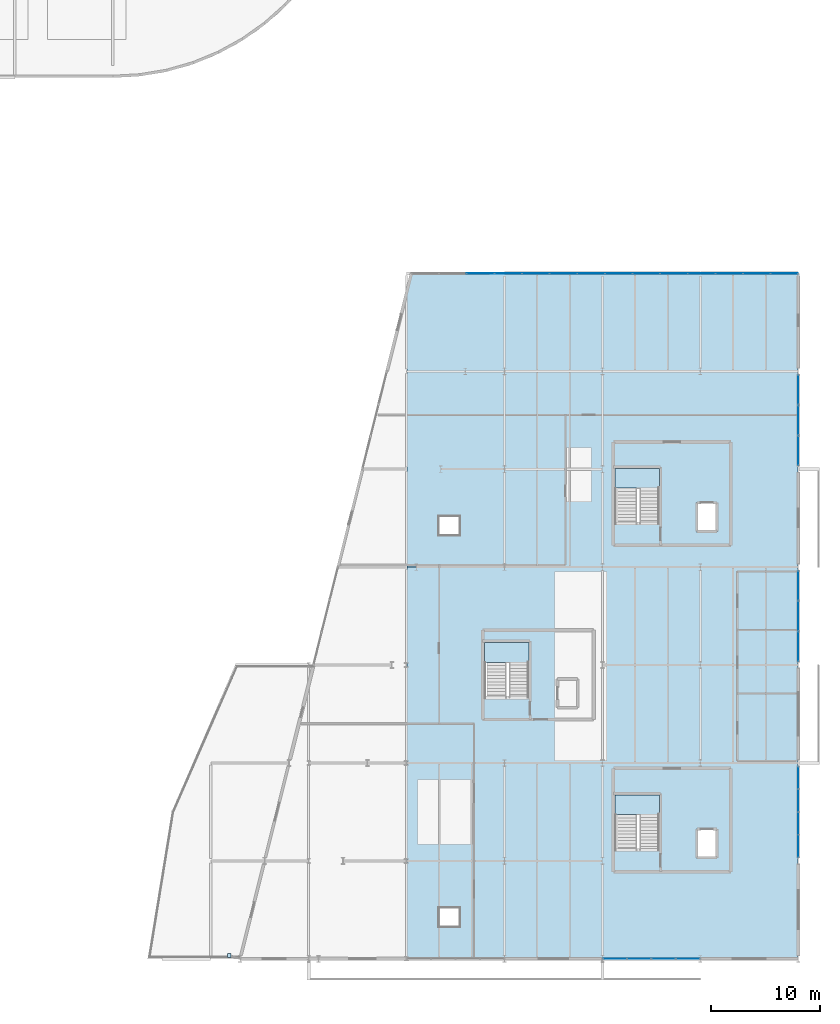
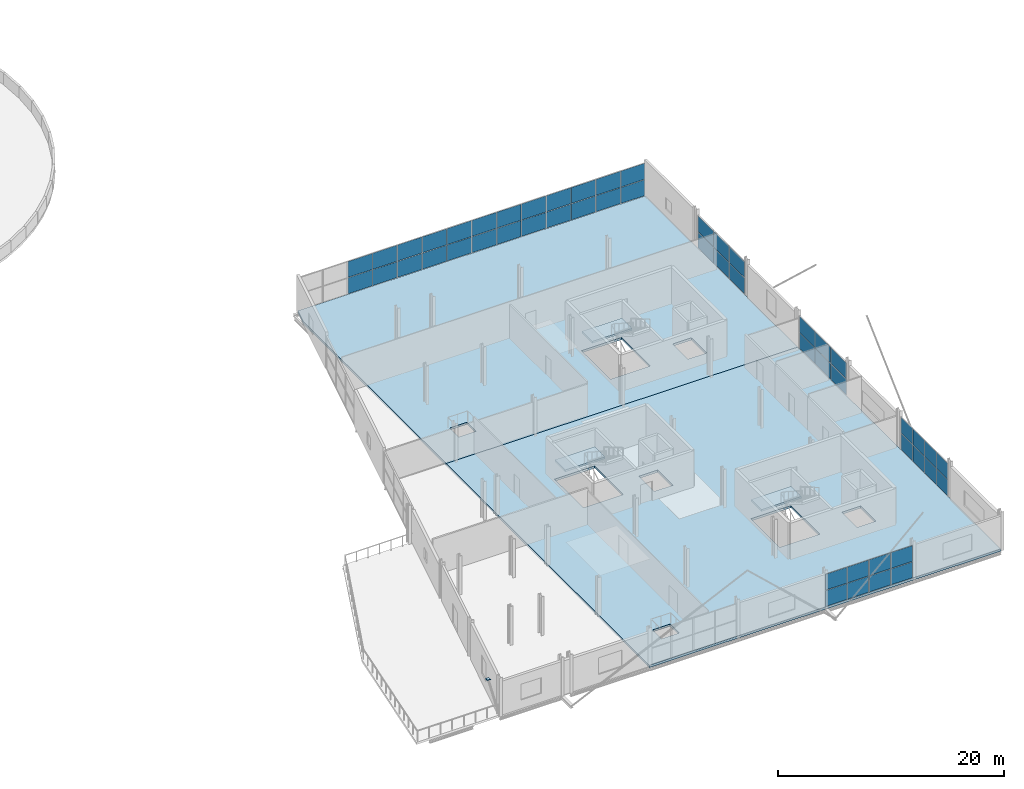
# One storey, part 51 of 59: 53 plates, 5 slabs, 8 elements without a shape of their own.
"""IFC4 building model written with IfcOpenShell, lengths in metres."""

from ifc_helpers import new_model, si_unit, direction, frame, origin, origin_2d, place, context, subcontext, project, spatial, polyline, rectangle, outline, extrude, material, layer, layer_set, type_object, element, aggregate, save


model = new_model("IFC4")

# Units and contexts
model_context = context("Model", 3, precision=1e-05, world=origin(), true_north=direction((0.0, 1.0)))
body_context = subcontext(model_context, "Body", "Model", "MODEL_VIEW")
ifc_project = project(units=[si_unit("LENGTHUNIT", "METRE"), si_unit("AREAUNIT", "SQUARE_METRE"), si_unit("VOLUMEUNIT", "CUBIC_METRE"), si_unit("PLANEANGLEUNIT", "RADIAN"), si_unit("MASSUNIT", "GRAM", prefix="KILO")], contexts=[model_context])

# Site, building, storey
site_placement = place(None, origin())
site = spatial("IfcSite", under=ifc_project, at=site_placement, CompositionType="ELEMENT")
building_placement = place(site_placement, origin())
building = spatial("IfcBuilding", under=site, at=building_placement, Name="Deido Ridge Mobility Hub", CompositionType="ELEMENT")
storey_placement = place(building_placement, frame((0.0, 0.0, 21.0)))
storey = spatial("IfcBuildingStorey", under=building, at=storey_placement, Name="L05", CompositionType="ELEMENT", Elevation=21.0)

# Plate
ifc_material_1 = material(Name="Steel S355J2 EN 10025-2", Category="steel")
ifc_layer_1 = layer(ifc_material_1, 0.02197265625, Name="Steel S355J2 EN 10025-2")
ifc_layer_set_1 = layer_set([ifc_layer_1], Name="Steel S355J2 EN 10025-2")
plate_type_1 = type_object("IfcPlateType", Name="PLT-CAP-22", PredefinedType="USERDEFINED", material=ifc_layer_set_1)
plate_1_placement = place(storey_placement, frame((127.699951171875, 0.300048828125, 4.0390625), z_axis=(0.0, 0.0, 1.0), x_axis=(1.0, 0.0, 0.0)))
element("IfcPlate", 1, at=plate_1_placement, inside=storey, type_object=plate_type_1, Name="Diagrid node cap plate EC2 165", ObjectType="END CAP PLATE", PredefinedType="USERDEFINED", context=body_context, shape_type="SweptSolid", body=[
    extrude(rectangle(XDim=0.340087890625, YDim=0.340087890625, at=origin_2d()), origin(), (0.0, 0.0, 1.0), 0.02197265625),
])

# Curtain wall, plates
ifc_material_2 = material(Name="Anodised aluminium EN AW-6063 T6", Category="aluminium")
ifc_layer_2 = layer(ifc_material_2, 0.1650390625, Name="Anodised aluminium EN AW-6063 T6")
ifc_layer_set_2 = layer_set([ifc_layer_2], Name="Anodised aluminium EN AW-6063 T6")
curtain_wall_type_1 = type_object("IfcCurtainWallType", Name="CW-UF-1", PredefinedType="USERDEFINED", material=ifc_layer_set_2)
curtain_wall_1_placement = place(storey_placement, origin())
curtain_wall_1 = element("IfcCurtainWall", 2, at=curtain_wall_1_placement, inside=storey, type_object=curtain_wall_type_1, Name="Unitised curtain wall CW1", ObjectType="UNITISED FACADE", PredefinedType="USERDEFINED")
ifc_material_3 = material(Name="Laminated solar-control low-E glass", Category="glass")
ifc_layer_3 = layer(ifc_material_3, 0.02587890625, Name="Laminated solar-control low-E glass")
ifc_layer_set_3 = layer_set([ifc_layer_3], Name="Laminated solar-control low-E glass")
plate_type_2 = type_object("IfcPlateType", Name="PLT-CWP-26", PredefinedType="CURTAIN_PANEL", material=ifc_layer_set_3)
plate_2_placement = place(storey_placement, frame((180.0, 10.362548828125, 0.050048828125), z_axis=(0.0, 0.0, 1.0), x_axis=(0.0, 1.0, 0.0)))
plate_2 = element("IfcPlate", 3, at=plate_2_placement, type_object=plate_type_2, Name="CW1 panel 1.1", PredefinedType="CURTAIN_PANEL", context=body_context, shape_type="SweptSolid", body=[
    extrude(rectangle(XDim=2.02490234375, YDim=0.02587890625, at=origin_2d()), origin(), (0.0, 0.0, 1.0), 1.72509765625),
])
plate_3_placement = place(storey_placement, frame((180.0, 10.362548828125, 1.824951171875), z_axis=(0.0, 0.0, 1.0), x_axis=(0.0, 1.0, 0.0)))
plate_3 = element("IfcPlate", 4, at=plate_3_placement, type_object=plate_type_2, Name="CW1 panel 1.2", PredefinedType="CURTAIN_PANEL", context=body_context, shape_type="SweptSolid", body=[
    extrude(rectangle(XDim=2.02490234375, YDim=0.02587890625, at=origin_2d()), origin(), (0.0, 0.0, 1.0), 1.72509765625),
])
plate_4_placement = place(storey_placement, frame((180.0, 12.449951171875, 0.050048828125), z_axis=(0.0, 0.0, 1.0), x_axis=(0.0, 1.0, 0.0)))
plate_4 = element("IfcPlate", 5, at=plate_4_placement, type_object=plate_type_2, Name="CW1 panel 2.1", PredefinedType="CURTAIN_PANEL", context=body_context, shape_type="SweptSolid", body=[
    extrude(rectangle(XDim=2.050048828125, YDim=0.02587890625, at=origin_2d()), origin(), (0.0, 0.0, 1.0), 1.72509765625),
])
plate_5_placement = place(storey_placement, frame((180.0, 12.449951171875, 1.824951171875), z_axis=(0.0, 0.0, 1.0), x_axis=(0.0, 1.0, 0.0)))
plate_5 = element("IfcPlate", 6, at=plate_5_placement, type_object=plate_type_2, Name="CW1 panel 2.2", PredefinedType="CURTAIN_PANEL", context=body_context, shape_type="SweptSolid", body=[
    extrude(rectangle(XDim=2.050048828125, YDim=0.02587890625, at=origin_2d()), origin(), (0.0, 0.0, 1.0), 1.72509765625),
])
plate_6_placement = place(storey_placement, frame((180.0, 14.550048828125, 0.050048828125), z_axis=(0.0, 0.0, 1.0), x_axis=(0.0, 1.0, 0.0)))
plate_6 = element("IfcPlate", 7, at=plate_6_placement, type_object=plate_type_2, Name="CW1 panel 3.1", PredefinedType="CURTAIN_PANEL", context=body_context, shape_type="SweptSolid", body=[
    extrude(rectangle(XDim=2.050048828125, YDim=0.02587890625, at=origin_2d()), origin(), (0.0, 0.0, 1.0), 1.72509765625),
])
plate_7_placement = place(storey_placement, frame((180.0, 14.550048828125, 1.824951171875), z_axis=(0.0, 0.0, 1.0), x_axis=(0.0, 1.0, 0.0)))
plate_7 = element("IfcPlate", 8, at=plate_7_placement, type_object=plate_type_2, Name="CW1 panel 3.2", PredefinedType="CURTAIN_PANEL", context=body_context, shape_type="SweptSolid", body=[
    extrude(rectangle(XDim=2.050048828125, YDim=0.02587890625, at=origin_2d()), origin(), (0.0, 0.0, 1.0), 1.72509765625),
])
plate_8_placement = place(storey_placement, frame((180.0, 16.637451171875, 0.050048828125), z_axis=(0.0, 0.0, 1.0), x_axis=(0.0, 1.0, 0.0)))
plate_8 = element("IfcPlate", 9, at=plate_8_placement, type_object=plate_type_2, Name="CW1 panel 4.1", PredefinedType="CURTAIN_PANEL", context=body_context, shape_type="SweptSolid", body=[
    extrude(rectangle(XDim=2.02490234375, YDim=0.02587890625, at=origin_2d()), origin(), (0.0, 0.0, 1.0), 1.72509765625),
])
plate_9_placement = place(storey_placement, frame((180.0, 16.637451171875, 1.824951171875), z_axis=(0.0, 0.0, 1.0), x_axis=(0.0, 1.0, 0.0)))
plate_9 = element("IfcPlate", 10, at=plate_9_placement, type_object=plate_type_2, Name="CW1 panel 4.2", PredefinedType="CURTAIN_PANEL", context=body_context, shape_type="SweptSolid", body=[
    extrude(rectangle(XDim=2.02490234375, YDim=0.02587890625, at=origin_2d()), origin(), (0.0, 0.0, 1.0), 1.72509765625),
])
aggregate(curtain_wall_1, [plate_2, plate_3, plate_4, plate_5, plate_6, plate_7, plate_8, plate_9])

ifc_layer_4 = layer(ifc_material_2, 0.14404296875, Name="Anodised aluminium EN AW-6063 T6")
ifc_layer_set_4 = layer_set([ifc_layer_4], Name="Anodised aluminium EN AW-6063 T6")
curtain_wall_type_2 = type_object("IfcCurtainWallType", Name="CW-GS-2", PredefinedType="USERDEFINED", material=ifc_layer_set_4)
curtain_wall_2_placement = place(storey_placement, origin())
curtain_wall_2 = element("IfcCurtainWall", 11, at=curtain_wall_2_placement, inside=storey, type_object=curtain_wall_type_2, Name="Unitised curtain wall GS2", ObjectType="GLAZED SCREEN", PredefinedType="USERDEFINED")
plate_10_placement = place(storey_placement, frame((150.798095703125, 63.0, 0.050048828125), z_axis=(0.0, 0.0, 1.0), x_axis=(1.0, 0.0, 0.0)))
plate_10 = element("IfcPlate", 12, at=plate_10_placement, type_object=plate_type_2, Name="GS2 panel 3.1", PredefinedType="CURTAIN_PANEL", context=body_context, shape_type="SweptSolid", body=[
    extrude(rectangle(XDim=2.4892578125, YDim=0.02587890625, at=origin_2d()), origin(), (0.0, 0.0, 1.0), 1.72509765625),
])
plate_11_placement = place(storey_placement, frame((150.798095703125, 63.0, 1.824951171875), z_axis=(0.0, 0.0, 1.0), x_axis=(1.0, 0.0, 0.0)))
plate_11 = element("IfcPlate", 13, at=plate_11_placement, type_object=plate_type_2, Name="GS2 panel 3.2", PredefinedType="CURTAIN_PANEL", context=body_context, shape_type="SweptSolid", body=[
    extrude(rectangle(XDim=2.4892578125, YDim=0.02587890625, at=origin_2d()), origin(), (0.0, 0.0, 1.0), 1.72509765625),
])
plate_12_placement = place(storey_placement, frame((153.33740234375, 63.0, 0.050048828125), z_axis=(0.0, 0.0, 1.0), x_axis=(1.0, 0.0, 0.0)))
plate_12 = element("IfcPlate", 14, at=plate_12_placement, type_object=plate_type_2, Name="GS2 panel 4.1", PredefinedType="CURTAIN_PANEL", context=body_context, shape_type="SweptSolid", body=[
    extrude(rectangle(XDim=2.4892578125, YDim=0.02587890625, at=origin_2d()), origin(), (0.0, 0.0, 1.0), 1.72509765625),
])
plate_13_placement = place(storey_placement, frame((153.33740234375, 63.0, 1.824951171875), z_axis=(0.0, 0.0, 1.0), x_axis=(1.0, 0.0, 0.0)))
plate_13 = element("IfcPlate", 15, at=plate_13_placement, type_object=plate_type_2, Name="GS2 panel 4.2", PredefinedType="CURTAIN_PANEL", context=body_context, shape_type="SweptSolid", body=[
    extrude(rectangle(XDim=2.4892578125, YDim=0.02587890625, at=origin_2d()), origin(), (0.0, 0.0, 1.0), 1.72509765625),
])
plate_14_placement = place(storey_placement, frame((155.876708984375, 63.0, 0.050048828125), z_axis=(0.0, 0.0, 1.0), x_axis=(1.0, 0.0, 0.0)))
plate_14 = element("IfcPlate", 16, at=plate_14_placement, type_object=plate_type_2, Name="GS2 panel 5.1", PredefinedType="CURTAIN_PANEL", context=body_context, shape_type="SweptSolid", body=[
    extrude(rectangle(XDim=2.4892578125, YDim=0.02587890625, at=origin_2d()), origin(), (0.0, 0.0, 1.0), 1.72509765625),
])
plate_15_placement = place(storey_placement, frame((155.876708984375, 63.0, 1.824951171875), z_axis=(0.0, 0.0, 1.0), x_axis=(1.0, 0.0, 0.0)))
plate_15 = element("IfcPlate", 17, at=plate_15_placement, type_object=plate_type_2, Name="GS2 panel 5.2", PredefinedType="CURTAIN_PANEL", context=body_context, shape_type="SweptSolid", body=[
    extrude(rectangle(XDim=2.4892578125, YDim=0.02587890625, at=origin_2d()), origin(), (0.0, 0.0, 1.0), 1.72509765625),
])
plate_16_placement = place(storey_placement, frame((158.416015625, 63.0, 0.050048828125), z_axis=(0.0, 0.0, 1.0), x_axis=(1.0, 0.0, 0.0)))
plate_16 = element("IfcPlate", 18, at=plate_16_placement, type_object=plate_type_2, Name="GS2 panel 6.1", PredefinedType="CURTAIN_PANEL", context=body_context, shape_type="SweptSolid", body=[
    extrude(rectangle(XDim=2.4892578125, YDim=0.02587890625, at=origin_2d()), origin(), (0.0, 0.0, 1.0), 1.72509765625),
])
plate_17_placement = place(storey_placement, frame((158.416015625, 63.0, 1.824951171875), z_axis=(0.0, 0.0, 1.0), x_axis=(1.0, 0.0, 0.0)))
plate_17 = element("IfcPlate", 19, at=plate_17_placement, type_object=plate_type_2, Name="GS2 panel 6.2", PredefinedType="CURTAIN_PANEL", context=body_context, shape_type="SweptSolid", body=[
    extrude(rectangle(XDim=2.4892578125, YDim=0.02587890625, at=origin_2d()), origin(), (0.0, 0.0, 1.0), 1.72509765625),
])
plate_18_placement = place(storey_placement, frame((160.955322265625, 63.0, 0.050048828125), z_axis=(0.0, 0.0, 1.0), x_axis=(1.0, 0.0, 0.0)))
plate_18 = element("IfcPlate", 20, at=plate_18_placement, type_object=plate_type_2, Name="GS2 panel 7.1", PredefinedType="CURTAIN_PANEL", context=body_context, shape_type="SweptSolid", body=[
    extrude(rectangle(XDim=2.4892578125, YDim=0.02587890625, at=origin_2d()), origin(), (0.0, 0.0, 1.0), 1.72509765625),
])
plate_19_placement = place(storey_placement, frame((160.955322265625, 63.0, 1.824951171875), z_axis=(0.0, 0.0, 1.0), x_axis=(1.0, 0.0, 0.0)))
plate_19 = element("IfcPlate", 21, at=plate_19_placement, type_object=plate_type_2, Name="GS2 panel 7.2", PredefinedType="CURTAIN_PANEL", context=body_context, shape_type="SweptSolid", body=[
    extrude(rectangle(XDim=2.4892578125, YDim=0.02587890625, at=origin_2d()), origin(), (0.0, 0.0, 1.0), 1.72509765625),
])
plate_20_placement = place(storey_placement, frame((163.49462890625, 63.0, 0.050048828125), z_axis=(0.0, 0.0, 1.0), x_axis=(1.0, 0.0, 0.0)))
plate_20 = element("IfcPlate", 22, at=plate_20_placement, type_object=plate_type_2, Name="GS2 panel 8.1", PredefinedType="CURTAIN_PANEL", context=body_context, shape_type="SweptSolid", body=[
    extrude(rectangle(XDim=2.4892578125, YDim=0.02587890625, at=origin_2d()), origin(), (0.0, 0.0, 1.0), 1.72509765625),
])
plate_21_placement = place(storey_placement, frame((163.49462890625, 63.0, 1.824951171875), z_axis=(0.0, 0.0, 1.0), x_axis=(1.0, 0.0, 0.0)))
plate_21 = element("IfcPlate", 23, at=plate_21_placement, type_object=plate_type_2, Name="GS2 panel 8.2", PredefinedType="CURTAIN_PANEL", context=body_context, shape_type="SweptSolid", body=[
    extrude(rectangle(XDim=2.4892578125, YDim=0.02587890625, at=origin_2d()), origin(), (0.0, 0.0, 1.0), 1.72509765625),
])
plate_22_placement = place(storey_placement, frame((166.033935546875, 63.0, 0.050048828125), z_axis=(0.0, 0.0, 1.0), x_axis=(1.0, 0.0, 0.0)))
plate_22 = element("IfcPlate", 24, at=plate_22_placement, type_object=plate_type_2, Name="GS2 panel 9.1", PredefinedType="CURTAIN_PANEL", context=body_context, shape_type="SweptSolid", body=[
    extrude(rectangle(XDim=2.4892578125, YDim=0.02587890625, at=origin_2d()), origin(), (0.0, 0.0, 1.0), 1.72509765625),
])
plate_23_placement = place(storey_placement, frame((166.033935546875, 63.0, 1.824951171875), z_axis=(0.0, 0.0, 1.0), x_axis=(1.0, 0.0, 0.0)))
plate_23 = element("IfcPlate", 25, at=plate_23_placement, type_object=plate_type_2, Name="GS2 panel 9.2", PredefinedType="CURTAIN_PANEL", context=body_context, shape_type="SweptSolid", body=[
    extrude(rectangle(XDim=2.4892578125, YDim=0.02587890625, at=origin_2d()), origin(), (0.0, 0.0, 1.0), 1.72509765625),
])
plate_24_placement = place(storey_placement, frame((168.5732421875, 63.0, 0.050048828125), z_axis=(0.0, 0.0, 1.0), x_axis=(1.0, 0.0, 0.0)))
plate_24 = element("IfcPlate", 26, at=plate_24_placement, type_object=plate_type_2, Name="GS2 panel 10.1", PredefinedType="CURTAIN_PANEL", context=body_context, shape_type="SweptSolid", body=[
    extrude(rectangle(XDim=2.4892578125, YDim=0.02587890625, at=origin_2d()), origin(), (0.0, 0.0, 1.0), 1.72509765625),
])
plate_25_placement = place(storey_placement, frame((168.5732421875, 63.0, 1.824951171875), z_axis=(0.0, 0.0, 1.0), x_axis=(1.0, 0.0, 0.0)))
plate_25 = element("IfcPlate", 27, at=plate_25_placement, type_object=plate_type_2, Name="GS2 panel 10.2", PredefinedType="CURTAIN_PANEL", context=body_context, shape_type="SweptSolid", body=[
    extrude(rectangle(XDim=2.4892578125, YDim=0.02587890625, at=origin_2d()), origin(), (0.0, 0.0, 1.0), 1.72509765625),
])
plate_26_placement = place(storey_placement, frame((171.112548828125, 63.0, 0.050048828125), z_axis=(0.0, 0.0, 1.0), x_axis=(1.0, 0.0, 0.0)))
plate_26 = element("IfcPlate", 28, at=plate_26_placement, type_object=plate_type_2, Name="GS2 panel 11.1", PredefinedType="CURTAIN_PANEL", context=body_context, shape_type="SweptSolid", body=[
    extrude(rectangle(XDim=2.4892578125, YDim=0.02587890625, at=origin_2d()), origin(), (0.0, 0.0, 1.0), 1.72509765625),
])
plate_27_placement = place(storey_placement, frame((171.112548828125, 63.0, 1.824951171875), z_axis=(0.0, 0.0, 1.0), x_axis=(1.0, 0.0, 0.0)))
plate_27 = element("IfcPlate", 29, at=plate_27_placement, type_object=plate_type_2, Name="GS2 panel 11.2", PredefinedType="CURTAIN_PANEL", context=body_context, shape_type="SweptSolid", body=[
    extrude(rectangle(XDim=2.4892578125, YDim=0.02587890625, at=origin_2d()), origin(), (0.0, 0.0, 1.0), 1.72509765625),
])
plate_28_placement = place(storey_placement, frame((173.65185546875, 63.0, 0.050048828125), z_axis=(0.0, 0.0, 1.0), x_axis=(1.0, 0.0, 0.0)))
plate_28 = element("IfcPlate", 30, at=plate_28_placement, type_object=plate_type_2, Name="GS2 panel 12.1", PredefinedType="CURTAIN_PANEL", context=body_context, shape_type="SweptSolid", body=[
    extrude(rectangle(XDim=2.4892578125, YDim=0.02587890625, at=origin_2d()), origin(), (0.0, 0.0, 1.0), 1.72509765625),
])
plate_29_placement = place(storey_placement, frame((173.65185546875, 63.0, 1.824951171875), z_axis=(0.0, 0.0, 1.0), x_axis=(1.0, 0.0, 0.0)))
plate_29 = element("IfcPlate", 31, at=plate_29_placement, type_object=plate_type_2, Name="GS2 panel 12.2", PredefinedType="CURTAIN_PANEL", context=body_context, shape_type="SweptSolid", body=[
    extrude(rectangle(XDim=2.4892578125, YDim=0.02587890625, at=origin_2d()), origin(), (0.0, 0.0, 1.0), 1.72509765625),
])
plate_30_placement = place(storey_placement, frame((176.191162109375, 63.0, 0.050048828125), z_axis=(0.0, 0.0, 1.0), x_axis=(1.0, 0.0, 0.0)))
plate_30 = element("IfcPlate", 32, at=plate_30_placement, type_object=plate_type_2, Name="GS2 panel 13.1", PredefinedType="CURTAIN_PANEL", context=body_context, shape_type="SweptSolid", body=[
    extrude(rectangle(XDim=2.4892578125, YDim=0.02587890625, at=origin_2d()), origin(), (0.0, 0.0, 1.0), 1.72509765625),
])
plate_31_placement = place(storey_placement, frame((176.191162109375, 63.0, 1.824951171875), z_axis=(0.0, 0.0, 1.0), x_axis=(1.0, 0.0, 0.0)))
plate_31 = element("IfcPlate", 33, at=plate_31_placement, type_object=plate_type_2, Name="GS2 panel 13.2", PredefinedType="CURTAIN_PANEL", context=body_context, shape_type="SweptSolid", body=[
    extrude(rectangle(XDim=2.4892578125, YDim=0.02587890625, at=origin_2d()), origin(), (0.0, 0.0, 1.0), 1.72509765625),
])
plate_32_placement = place(storey_placement, frame((178.7177734375, 63.0, 0.050048828125), z_axis=(0.0, 0.0, 1.0), x_axis=(1.0, 0.0, 0.0)))
plate_32 = element("IfcPlate", 34, at=plate_32_placement, type_object=plate_type_2, Name="GS2 panel 14.1", PredefinedType="CURTAIN_PANEL", context=body_context, shape_type="SweptSolid", body=[
    extrude(rectangle(XDim=2.46435546875, YDim=0.02587890625, at=origin_2d()), origin(), (0.0, 0.0, 1.0), 1.72509765625),
])
plate_33_placement = place(storey_placement, frame((178.7177734375, 63.0, 1.824951171875), z_axis=(0.0, 0.0, 1.0), x_axis=(1.0, 0.0, 0.0)))
plate_33 = element("IfcPlate", 35, at=plate_33_placement, type_object=plate_type_2, Name="GS2 panel 14.2", PredefinedType="CURTAIN_PANEL", context=body_context, shape_type="SweptSolid", body=[
    extrude(rectangle(XDim=2.46435546875, YDim=0.02587890625, at=origin_2d()), origin(), (0.0, 0.0, 1.0), 1.72509765625),
])
aggregate(curtain_wall_2, [plate_10, plate_11, plate_12, plate_13, plate_14, plate_15, plate_16, plate_17, plate_18, plate_19, plate_20, plate_21, plate_22, plate_23, plate_24, plate_25, plate_26, plate_27, plate_28, plate_29, plate_30, plate_31, plate_32, plate_33])

ifc_layer_5 = layer(ifc_material_2, 0.195068359375, Name="Anodised aluminium EN AW-6063 T6")
ifc_layer_set_5 = layer_set([ifc_layer_5], Name="Anodised aluminium EN AW-6063 T6")
curtain_wall_type_3 = type_object("IfcCurtainWallType", Name="CW-UF-3", PredefinedType="USERDEFINED", material=ifc_layer_set_5)
curtain_wall_3_placement = place(storey_placement, origin())
curtain_wall_3 = element("IfcCurtainWall", 36, at=curtain_wall_3_placement, inside=storey, type_object=curtain_wall_type_3, Name="Unitised curtain wall CW3", ObjectType="UNITISED FACADE", PredefinedType="USERDEFINED")
ifc_layer_6 = layer(ifc_material_3, 0.031005859375, Name="Laminated solar-control low-E glass")
ifc_layer_set_6 = layer_set([ifc_layer_6], Name="Laminated solar-control low-E glass")
plate_type_3 = type_object("IfcPlateType", Name="PLT-CWP-31", PredefinedType="CURTAIN_PANEL", material=ifc_layer_set_6)
plate_34_placement = place(storey_placement, frame((163.145751953125, 0.0, 0.06005859375), z_axis=(0.0, 0.0, 1.0), x_axis=(1.0, 0.0, 0.0)))
plate_34 = element("IfcPlate", 37, at=plate_34_placement, type_object=plate_type_3, Name="CW3 panel 1.1", PredefinedType="CURTAIN_PANEL", context=body_context, shape_type="SweptSolid", body=[
    extrude(rectangle(XDim=2.15625, YDim=0.031005859375, at=origin_2d()), origin(), (0.0, 0.0, 1.0), 1.7099609375),
])
plate_35_placement = place(storey_placement, frame((163.145751953125, 0.0, 1.830078125), z_axis=(0.0, 0.0, 1.0), x_axis=(1.0, 0.0, 0.0)))
plate_35 = element("IfcPlate", 38, at=plate_35_placement, type_object=plate_type_3, Name="CW3 panel 1.2", PredefinedType="CURTAIN_PANEL", context=body_context, shape_type="SweptSolid", body=[
    extrude(rectangle(XDim=2.15625, YDim=0.031005859375, at=origin_2d()), origin(), (0.0, 0.0, 1.0), 1.7099609375),
])
plate_36_placement = place(storey_placement, frame((165.376953125, 0.0, 0.06005859375), z_axis=(0.0, 0.0, 1.0), x_axis=(1.0, 0.0, 0.0)))
plate_36 = element("IfcPlate", 39, at=plate_36_placement, type_object=plate_type_3, Name="CW3 panel 2.1", PredefinedType="CURTAIN_PANEL", context=body_context, shape_type="SweptSolid", body=[
    extrude(rectangle(XDim=2.18603515625, YDim=0.031005859375, at=origin_2d()), origin(), (0.0, 0.0, 1.0), 1.7099609375),
])
plate_37_placement = place(storey_placement, frame((165.376953125, 0.0, 1.830078125), z_axis=(0.0, 0.0, 1.0), x_axis=(1.0, 0.0, 0.0)))
plate_37 = element("IfcPlate", 40, at=plate_37_placement, type_object=plate_type_3, Name="CW3 panel 2.2", PredefinedType="CURTAIN_PANEL", context=body_context, shape_type="SweptSolid", body=[
    extrude(rectangle(XDim=2.18603515625, YDim=0.031005859375, at=origin_2d()), origin(), (0.0, 0.0, 1.0), 1.7099609375),
])
plate_38_placement = place(storey_placement, frame((167.623046875, 0.0, 0.06005859375), z_axis=(0.0, 0.0, 1.0), x_axis=(1.0, 0.0, 0.0)))
plate_38 = element("IfcPlate", 41, at=plate_38_placement, type_object=plate_type_3, Name="CW3 panel 3.1", PredefinedType="CURTAIN_PANEL", context=body_context, shape_type="SweptSolid", body=[
    extrude(rectangle(XDim=2.18603515625, YDim=0.031005859375, at=origin_2d()), origin(), (0.0, 0.0, 1.0), 1.7099609375),
])
plate_39_placement = place(storey_placement, frame((167.623046875, 0.0, 1.830078125), z_axis=(0.0, 0.0, 1.0), x_axis=(1.0, 0.0, 0.0)))
plate_39 = element("IfcPlate", 42, at=plate_39_placement, type_object=plate_type_3, Name="CW3 panel 3.2", PredefinedType="CURTAIN_PANEL", context=body_context, shape_type="SweptSolid", body=[
    extrude(rectangle(XDim=2.18603515625, YDim=0.031005859375, at=origin_2d()), origin(), (0.0, 0.0, 1.0), 1.7099609375),
])
plate_40_placement = place(storey_placement, frame((169.854248046875, 0.0, 0.06005859375), z_axis=(0.0, 0.0, 1.0), x_axis=(1.0, 0.0, 0.0)))
plate_40 = element("IfcPlate", 43, at=plate_40_placement, type_object=plate_type_3, Name="CW3 panel 4.1", PredefinedType="CURTAIN_PANEL", context=body_context, shape_type="SweptSolid", body=[
    extrude(rectangle(XDim=2.15625, YDim=0.031005859375, at=origin_2d()), origin(), (0.0, 0.0, 1.0), 1.7099609375),
])
plate_41_placement = place(storey_placement, frame((169.854248046875, 0.0, 1.830078125), z_axis=(0.0, 0.0, 1.0), x_axis=(1.0, 0.0, 0.0)))
plate_41 = element("IfcPlate", 44, at=plate_41_placement, type_object=plate_type_3, Name="CW3 panel 4.2", PredefinedType="CURTAIN_PANEL", context=body_context, shape_type="SweptSolid", body=[
    extrude(rectangle(XDim=2.15625, YDim=0.031005859375, at=origin_2d()), origin(), (0.0, 0.0, 1.0), 1.7099609375),
])
aggregate(curtain_wall_3, [plate_34, plate_35, plate_36, plate_37, plate_38, plate_39, plate_40, plate_41])

curtain_wall_4_placement = place(storey_placement, origin())
curtain_wall_4 = element("IfcCurtainWall", 45, at=curtain_wall_4_placement, inside=storey, type_object=curtain_wall_type_3, Name="Unitised curtain wall CW3", ObjectType="UNITISED FACADE", PredefinedType="USERDEFINED")
plate_42_placement = place(storey_placement, frame((180.0, 28.715087890625, 0.06005859375), z_axis=(0.0, 0.0, 1.0), x_axis=(0.0, 1.0, 0.0)))
plate_42 = element("IfcPlate", 46, at=plate_42_placement, type_object=plate_type_3, Name="CW3 panel 1.1", PredefinedType="CURTAIN_PANEL", context=body_context, shape_type="SweptSolid", body=[
    extrude(rectangle(XDim=2.7099609375, YDim=0.031005859375, at=origin_2d()), origin(), (0.0, 0.0, 1.0), 1.7099609375),
])
plate_43_placement = place(storey_placement, frame((180.0, 28.715087890625, 1.830078125), z_axis=(0.0, 0.0, 1.0), x_axis=(0.0, 1.0, 0.0)))
plate_43 = element("IfcPlate", 47, at=plate_43_placement, type_object=plate_type_3, Name="CW3 panel 1.2", PredefinedType="CURTAIN_PANEL", context=body_context, shape_type="SweptSolid", body=[
    extrude(rectangle(XDim=2.7099609375, YDim=0.031005859375, at=origin_2d()), origin(), (0.0, 0.0, 1.0), 1.7099609375),
])
plate_44_placement = place(storey_placement, frame((180.0, 31.5, 0.06005859375), z_axis=(0.0, 0.0, 1.0), x_axis=(0.0, 1.0, 0.0)))
plate_44 = element("IfcPlate", 48, at=plate_44_placement, type_object=plate_type_3, Name="CW3 panel 2.1", PredefinedType="CURTAIN_PANEL", context=body_context, shape_type="SweptSolid", body=[
    extrude(rectangle(XDim=2.739990234375, YDim=0.031005859375, at=origin_2d()), origin(), (0.0, 0.0, 1.0), 1.7099609375),
])
plate_45_placement = place(storey_placement, frame((180.0, 31.5, 1.830078125), z_axis=(0.0, 0.0, 1.0), x_axis=(0.0, 1.0, 0.0)))
plate_45 = element("IfcPlate", 49, at=plate_45_placement, type_object=plate_type_3, Name="CW3 panel 2.2", PredefinedType="CURTAIN_PANEL", context=body_context, shape_type="SweptSolid", body=[
    extrude(rectangle(XDim=2.739990234375, YDim=0.031005859375, at=origin_2d()), origin(), (0.0, 0.0, 1.0), 1.7099609375),
])
plate_46_placement = place(storey_placement, frame((180.0, 34.284912109375, 0.06005859375), z_axis=(0.0, 0.0, 1.0), x_axis=(0.0, 1.0, 0.0)))
plate_46 = element("IfcPlate", 50, at=plate_46_placement, type_object=plate_type_3, Name="CW3 panel 3.1", PredefinedType="CURTAIN_PANEL", context=body_context, shape_type="SweptSolid", body=[
    extrude(rectangle(XDim=2.7099609375, YDim=0.031005859375, at=origin_2d()), origin(), (0.0, 0.0, 1.0), 1.7099609375),
])
plate_47_placement = place(storey_placement, frame((180.0, 34.284912109375, 1.830078125), z_axis=(0.0, 0.0, 1.0), x_axis=(0.0, 1.0, 0.0)))
plate_47 = element("IfcPlate", 51, at=plate_47_placement, type_object=plate_type_3, Name="CW3 panel 3.2", PredefinedType="CURTAIN_PANEL", context=body_context, shape_type="SweptSolid", body=[
    extrude(rectangle(XDim=2.7099609375, YDim=0.031005859375, at=origin_2d()), origin(), (0.0, 0.0, 1.0), 1.7099609375),
])
aggregate(curtain_wall_4, [plate_42, plate_43, plate_44, plate_45, plate_46, plate_47])

ifc_layer_7 = layer(ifc_material_2, 0.22509765625, Name="Anodised aluminium EN AW-6063 T6")
ifc_layer_set_7 = layer_set([ifc_layer_7], Name="Anodised aluminium EN AW-6063 T6")
curtain_wall_type_4 = type_object("IfcCurtainWallType", Name="CW-UF-5", PredefinedType="USERDEFINED", material=ifc_layer_set_7)
curtain_wall_5_placement = place(storey_placement, origin())
curtain_wall_5 = element("IfcCurtainWall", 52, at=curtain_wall_5_placement, inside=storey, type_object=curtain_wall_type_4, Name="Unitised curtain wall CW5", ObjectType="UNITISED FACADE", PredefinedType="USERDEFINED")
ifc_layer_8 = layer(ifc_material_3, 0.034912109375, Name="Laminated solar-control low-E glass")
ifc_layer_set_8 = layer_set([ifc_layer_8], Name="Laminated solar-control low-E glass")
plate_type_4 = type_object("IfcPlateType", Name="PLT-CWP-35", PredefinedType="CURTAIN_PANEL", material=ifc_layer_set_8)
plate_48_placement = place(storey_placement, frame((180.0, 46.717529296875, 0.06982421875), z_axis=(0.0, 0.0, 1.0), x_axis=(0.0, 1.0, 0.0)))
plate_48 = element("IfcPlate", 53, at=plate_48_placement, type_object=plate_type_4, Name="CW5 panel 1.1", PredefinedType="CURTAIN_PANEL", context=body_context, shape_type="SweptSolid", body=[
    extrude(rectangle(XDim=2.695068359375, YDim=0.034912109375, at=origin_2d()), origin(), (0.0, 0.0, 1.0), 1.695068359375),
])
plate_49_placement = place(storey_placement, frame((180.0, 46.717529296875, 1.8349609375), z_axis=(0.0, 0.0, 1.0), x_axis=(0.0, 1.0, 0.0)))
plate_49 = element("IfcPlate", 54, at=plate_49_placement, type_object=plate_type_4, Name="CW5 panel 1.2", PredefinedType="CURTAIN_PANEL", context=body_context, shape_type="SweptSolid", body=[
    extrude(rectangle(XDim=2.695068359375, YDim=0.034912109375, at=origin_2d()), origin(), (0.0, 0.0, 1.0), 1.695068359375),
])
plate_50_placement = place(storey_placement, frame((180.0, 49.5, 0.06982421875), z_axis=(0.0, 0.0, 1.0), x_axis=(0.0, 1.0, 0.0)))
plate_50 = element("IfcPlate", 55, at=plate_50_placement, type_object=plate_type_4, Name="CW5 panel 2.1", PredefinedType="CURTAIN_PANEL", context=body_context, shape_type="SweptSolid", body=[
    extrude(rectangle(XDim=2.72998046875, YDim=0.034912109375, at=origin_2d()), origin(), (0.0, 0.0, 1.0), 1.695068359375),
])
plate_51_placement = place(storey_placement, frame((180.0, 49.5, 1.8349609375), z_axis=(0.0, 0.0, 1.0), x_axis=(0.0, 1.0, 0.0)))
plate_51 = element("IfcPlate", 56, at=plate_51_placement, type_object=plate_type_4, Name="CW5 panel 2.2", PredefinedType="CURTAIN_PANEL", context=body_context, shape_type="SweptSolid", body=[
    extrude(rectangle(XDim=2.72998046875, YDim=0.034912109375, at=origin_2d()), origin(), (0.0, 0.0, 1.0), 1.695068359375),
])
plate_52_placement = place(storey_placement, frame((180.0, 52.282470703125, 0.06982421875), z_axis=(0.0, 0.0, 1.0), x_axis=(0.0, 1.0, 0.0)))
plate_52 = element("IfcPlate", 57, at=plate_52_placement, type_object=plate_type_4, Name="CW5 panel 3.1", PredefinedType="CURTAIN_PANEL", context=body_context, shape_type="SweptSolid", body=[
    extrude(rectangle(XDim=2.695068359375, YDim=0.034912109375, at=origin_2d()), origin(), (0.0, 0.0, 1.0), 1.695068359375),
])
plate_53_placement = place(storey_placement, frame((180.0, 52.282470703125, 1.8349609375), z_axis=(0.0, 0.0, 1.0), x_axis=(0.0, 1.0, 0.0)))
plate_53 = element("IfcPlate", 58, at=plate_53_placement, type_object=plate_type_4, Name="CW5 panel 3.2", PredefinedType="CURTAIN_PANEL", context=body_context, shape_type="SweptSolid", body=[
    extrude(rectangle(XDim=2.695068359375, YDim=0.034912109375, at=origin_2d()), origin(), (0.0, 0.0, 1.0), 1.695068359375),
])
aggregate(curtain_wall_5, [plate_48, plate_49, plate_50, plate_51, plate_52, plate_53])

# Slabs
ifc_material_4 = material(Name="Concrete C35/45", Category="concrete")
ifc_layer_9 = layer(ifc_material_4, 0.2451171875, Name="Concrete C35/45")
ifc_layer_set_9 = layer_set([ifc_layer_9], Name="Concrete C35/45")
slab_type_1 = type_object("IfcSlabType", Name="SLB-FLR-245", PredefinedType="FLOOR", material=ifc_layer_set_9)
slab_1_placement = place(storey_placement, frame((0.0, 0.0, -0.2451171875)))
element("IfcSlab", 59, at=slab_1_placement, inside=storey, type_object=slab_type_1, Name="L05 V6 structural deck 65", PredefinedType="FLOOR", context=body_context, shape_type="SweptSolid", body=[
    extrude(outline(polyline([(180.0, 36.0), (180.0, 0.0), (144.02490234375, 0.0), (144.02490234375, 36.0), (180.0, 36.0)]), holes=[polyline([(148.824951171875, 3.0), (147.02490234375, 3.0), (147.02490234375, 4.60009765625), (148.824951171875, 4.60009765625), (148.824951171875, 3.0)]), polyline([(172.550048828125, 9.25), (170.64990234375, 9.25), (170.64990234375, 11.949951171875), (172.550048828125, 11.949951171875), (172.550048828125, 9.25)]), polyline([(167.239990234375, 10.0), (163.139892578125, 10.0), (163.139892578125, 15.10009765625), (167.239990234375, 15.10009765625), (167.239990234375, 10.0)]), polyline([(159.75, 23.050048828125), (157.85009765625, 23.050048828125), (157.85009765625, 25.75), (159.75, 25.75), (159.75, 23.050048828125)]), polyline([(155.239990234375, 24.0), (151.139892578125, 24.0), (151.139892578125, 29.10009765625), (155.239990234375, 29.10009765625), (155.239990234375, 24.0)])]), origin(), (0.0, 0.0, 1.0), 0.2451171875),
])
slab_2_placement = place(storey_placement, frame((0.0, 0.0, -0.2451171875)))
element("IfcSlab", 60, at=slab_2_placement, inside=storey, type_object=slab_type_1, Name="L05 V6 structural deck 66", PredefinedType="FLOOR", context=body_context, shape_type="SweptSolid", body=[
    extrude(outline(polyline([(180.0, 63.0), (180.0, 36.0), (144.02490234375, 36.0), (144.02490234375, 61.300048828125), (144.449951171875, 63.0), (180.0, 63.0)]), holes=[polyline([(148.824951171875, 39.0), (147.02490234375, 39.0), (147.02490234375, 40.60009765625), (148.824951171875, 40.60009765625), (148.824951171875, 39.0)]), polyline([(172.550048828125, 39.25), (170.64990234375, 39.25), (170.64990234375, 41.949951171875), (172.550048828125, 41.949951171875), (172.550048828125, 39.25)]), polyline([(167.239990234375, 40.0), (163.139892578125, 40.0), (163.139892578125, 45.10009765625), (167.239990234375, 45.10009765625), (167.239990234375, 40.0)])]), origin(), (0.0, 0.0, 1.0), 0.2451171875),
])

# Stair, slab
stair_type = type_object("IfcStairType", Name="ST-CORE-HALF-1520", PredefinedType="HALF_TURN_STAIR", material=ifc_material_4)
stair_1_placement = place(storey_placement, origin())
stair_1 = element("IfcStair", 61, at=stair_1_placement, inside=storey, type_object=stair_type, Name="Protected exit stair ST1 (L05)", PredefinedType="HALF_TURN_STAIR")
ifc_layer_10 = layer(ifc_material_4, 0.199951171875, Name="Concrete C35/45")
ifc_layer_set_10 = layer_set([ifc_layer_10], Name="Concrete C35/45")
slab_type_2 = type_object("IfcSlabType", Name="SLB-STLND-200", PredefinedType="LANDING", material=ifc_layer_set_10)
slab_3_placement = place(storey_placement, frame((0.0, 0.0, 1.89990234375)))
slab_3 = element("IfcSlab", 62, at=slab_3_placement, type_object=slab_type_2, Name="ST1 landing 1", PredefinedType="LANDING", context=body_context, shape_type="SweptSolid", body=[
    extrude(outline(polyline([(163.16259765625, 13.25), (167.235107421875, 13.25), (167.235107421875, 15.074951171875), (163.16259765625, 15.074951171875), (163.16259765625, 13.25)])), origin(), (0.0, 0.0, 1.0), 0.2001953125),
])
aggregate(stair_1, [slab_3])

stair_2_placement = place(storey_placement, origin())
stair_2 = element("IfcStair", 63, at=stair_2_placement, inside=storey, type_object=stair_type, Name="Protected exit stair ST2 (L05)", PredefinedType="HALF_TURN_STAIR")
slab_4_placement = place(storey_placement, frame((0.0, 0.0, 1.89990234375)))
slab_4 = element("IfcSlab", 64, at=slab_4_placement, type_object=slab_type_2, Name="ST2 landing 1", PredefinedType="LANDING", context=body_context, shape_type="SweptSolid", body=[
    extrude(outline(polyline([(163.16259765625, 43.25), (167.235107421875, 43.25), (167.235107421875, 45.074951171875), (163.16259765625, 45.074951171875), (163.16259765625, 43.25)])), origin(), (0.0, 0.0, 1.0), 0.2001953125),
])
aggregate(stair_2, [slab_4])

stair_3_placement = place(storey_placement, origin())
stair_3 = element("IfcStair", 65, at=stair_3_placement, inside=storey, type_object=stair_type, Name="Protected exit stair ST3 (L05)", PredefinedType="HALF_TURN_STAIR")
slab_5_placement = place(storey_placement, frame((0.0, 0.0, 1.89990234375)))
slab_5 = element("IfcSlab", 66, at=slab_5_placement, type_object=slab_type_2, Name="ST3 landing 1", PredefinedType="LANDING", context=body_context, shape_type="SweptSolid", body=[
    extrude(outline(polyline([(151.14990234375, 27.25), (155.235107421875, 27.25), (155.235107421875, 29.074951171875), (151.14990234375, 29.074951171875), (151.14990234375, 27.25)])), origin(), (0.0, 0.0, 1.0), 0.2001953125),
])
aggregate(stair_3, [slab_5])

save(model, "model.ifc")
